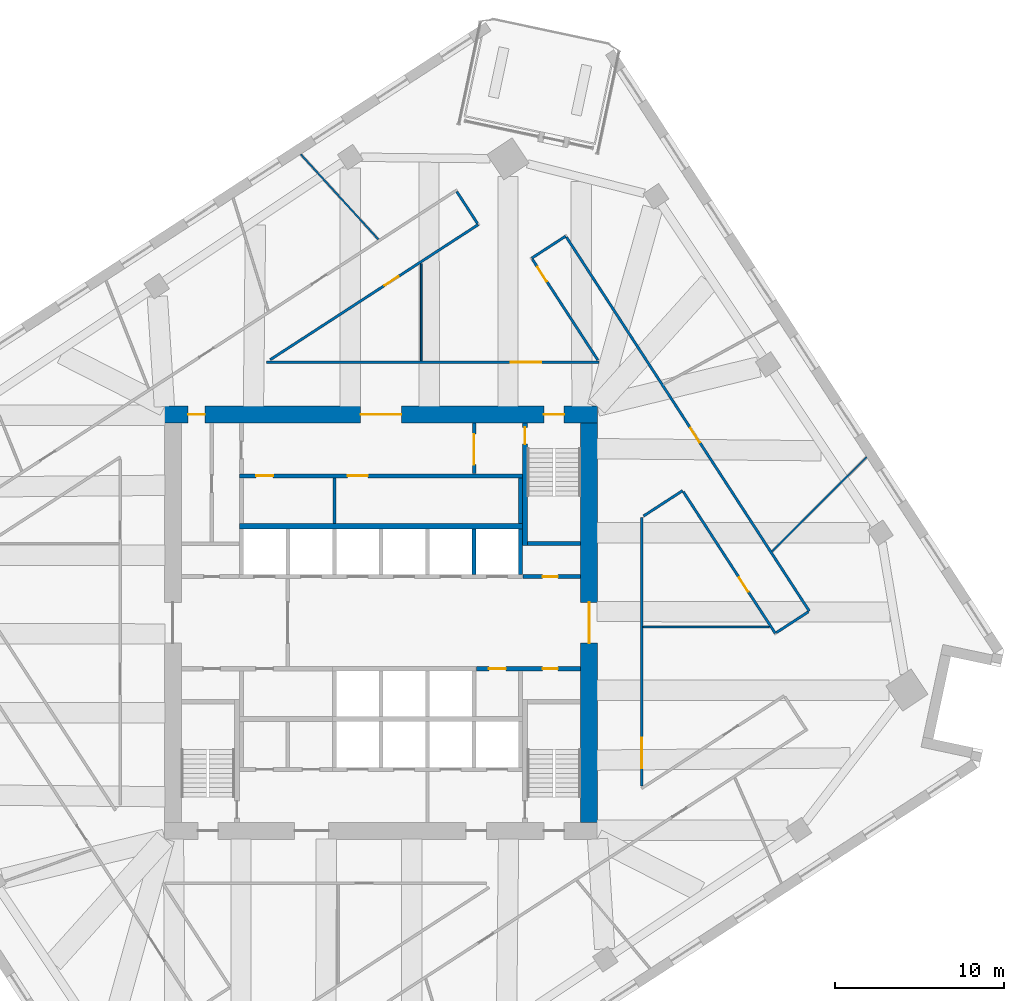
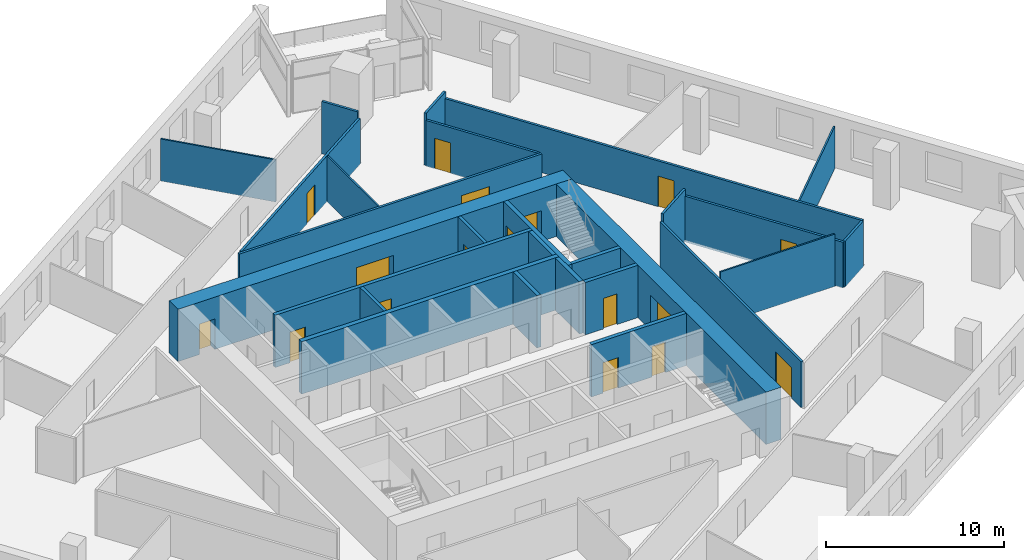
# One storey, part 9 of 12: 27 walls, 17 doors, 17 openings.
"""IFC4 building model written with IfcOpenShell, lengths in metres."""

from ifc_helpers import new_model, si_unit, direction, frame, frame_2d, origin, place, context, subcontext, project, spatial, rectangle, extrude, material, layer, layer_set, type_object, element, fill, save


model = new_model("IFC4")

# Units and contexts
model_context = context("Model", 3, precision=1e-05, world=origin(), true_north=direction((0.0, 1.0)))
body_context = subcontext(model_context, "Body", "Model", "MODEL_VIEW")
ifc_project = project(units=[si_unit("LENGTHUNIT", "METRE"), si_unit("AREAUNIT", "SQUARE_METRE"), si_unit("VOLUMEUNIT", "CUBIC_METRE"), si_unit("PLANEANGLEUNIT", "RADIAN"), si_unit("MASSUNIT", "GRAM", prefix="KILO")], contexts=[model_context])

# Site, building, storey
site_placement = place(None, origin())
site = spatial("IfcSite", under=ifc_project, at=site_placement, CompositionType="ELEMENT")
building_placement = place(site_placement, origin())
building = spatial("IfcBuilding", under=site, at=building_placement, Name="Dilmun Exchange Tower", CompositionType="ELEMENT")
storey_placement = place(building_placement, frame((0.0, 0.0, 159.699951171875)))
storey = spatial("IfcBuildingStorey", under=building, at=storey_placement, Name="L37", CompositionType="ELEMENT", Elevation=159.699951171875)

# Wall
ifc_material_1 = material(Name="Concrete C40/50", Category="concrete")
ifc_layer_1 = layer(ifc_material_1, 0.199951171875)
ifc_layer_set_1 = layer_set([ifc_layer_1], Name="Concrete C40/50")
wall_type_1 = type_object("IfcWallType", Name="Core partition wall 200", PredefinedType="PARTITIONING", material=ifc_layer_set_1)
wall_1_placement = place(storey_placement, frame((-2.75, 5.85498046875, 0.0), z_axis=(0.0, 0.0, 1.0), x_axis=(0.0, 1.0, 0.0)))
element("IfcWall", 1, at=wall_1_placement, inside=storey, type_object=wall_type_1, Name="L37 core partition wall 16", PredefinedType="PARTITIONING", context=body_context, shape_type="SweptSolid", body=[
    extrude(rectangle(XDim=2.68994140625, YDim=0.199951171875, at=frame_2d((1.344970703125, 0.0))), origin(), (0.0, 0.0, 1.0), 3.60009765625),
])

# Wall, opening, door
wall_2_placement = place(storey_placement, frame((5.5, 8.804931640625, 0.0), z_axis=(0.0, 0.0, 1.0), x_axis=(0.0, 1.0, 0.0)))
wall_2 = element("IfcWall", 2, at=wall_2_placement, inside=storey, type_object=wall_type_1, Name="L37 core partition wall 20", PredefinedType="PARTITIONING", context=body_context, shape_type="SweptSolid", body=[
    extrude(rectangle(XDim=2.989990234375, YDim=0.199951171875, at=frame_2d((1.4951171875, 0.0))), origin(), (0.0, 0.0, 1.0), 3.60009765625),
])
opening_1_placement = place(wall_2_placement, frame((0.532470703125, 0.0, 0.0)))
opening_1 = element("IfcOpeningElement", 3, at=opening_1_placement, cuts=wall_2, Name="Opening CD5", PredefinedType="OPENING", context=body_context, shape_type="SweptSolid", body=[
    extrude(rectangle(XDim=1.800048828125, YDim=2.10009765625, at=frame_2d((0.89990234375, 1.050048828125))), frame((0.0, 0.10986328125, 0.0), z_axis=(0.0, -1.0, 0.0), x_axis=(1.0, 0.0, 0.0)), (0.0, 0.0, 1.0), 0.219970703125),
])
ifc_material_2 = material(Name="Fire-rated steel door set", Category="steel")
door_type_1 = type_object("IfcDoorType", Name="Stair exit door 1800x2100", OperationType="SINGLE_SWING_LEFT", PredefinedType="DOOR", material=ifc_material_2)
door_1_placement = place(opening_1_placement, origin())
door_1 = element("IfcDoor", 4, at=door_1_placement, inside=storey, type_object=door_type_1, Name="L37 door Core corridor east", OperationType="SINGLE_SWING_LEFT", OverallHeight=2.10009765625, OverallWidth=1.800048828125, PredefinedType="DOOR", context=body_context, shape_type="SweptSolid", body=[
    extrude(rectangle(XDim=1.800048828125, YDim=2.10009765625, at=frame_2d((0.89990234375, 1.050048828125))), frame((0.0, 0.02490234375, 0.0), z_axis=(0.0, -1.0, 0.0), x_axis=(1.0, 0.0, 0.0)), (0.0, 0.0, 1.0), 0.050048828125),
])
fill(opening_1, door_1)

# Wall, openings, doors
ifc_layer_2 = layer(ifc_material_1, 0.25)
ifc_layer_set_2 = layer_set([ifc_layer_2], Name="Concrete C40/50")
wall_type_2 = type_object("IfcWallType", Name="Core partition wall 250", PredefinedType="PARTITIONING", material=ifc_layer_set_2)
wall_3_placement = place(storey_placement, frame((5.6298828125, -2.72509765625, 0.0), z_axis=(0.0, 0.0, 1.0), x_axis=(1.0, 0.0, 0.0)))
wall_3 = element("IfcWall", 5, at=wall_3_placement, inside=storey, type_object=wall_type_2, Name="L37 core partition wall 09", PredefinedType="PARTITIONING", context=body_context, shape_type="SweptSolid", body=[
    extrude(rectangle(XDim=6.1650390625, YDim=0.25, at=frame_2d((3.08251953125, 0.0))), origin(), (0.0, 0.0, 1.0), 3.60009765625),
])
opening_2_placement = place(wall_3_placement, frame((0.7451171875, 0.0, 0.0)))
opening_2 = element("IfcOpeningElement", 6, at=opening_2_placement, cuts=wall_3, Name="Opening CD4", PredefinedType="OPENING", context=body_context, shape_type="SweptSolid", body=[
    extrude(rectangle(XDim=1.0, YDim=2.10009765625, at=frame_2d((0.5, 1.050048828125))), frame((0.0, 0.135009765625, 0.0), z_axis=(0.0, -1.0, 0.0), x_axis=(1.0, 0.0, 0.0)), (0.0, 0.0, 1.0), 0.27001953125),
])
opening_3_placement = place(wall_3_placement, frame((3.919921875, 0.0, 0.0)))
opening_3 = element("IfcOpeningElement", 7, at=opening_3_placement, cuts=wall_3, Name="Opening CD6", PredefinedType="OPENING", context=body_context, shape_type="SweptSolid", body=[
    extrude(rectangle(XDim=0.89990234375, YDim=2.10009765625, at=frame_2d((0.449951171875, 1.050048828125))), frame((0.0, 0.135009765625, 0.0), z_axis=(0.0, -1.0, 0.0), x_axis=(1.0, 0.0, 0.0)), (0.0, 0.0, 1.0), 0.27001953125),
])
door_type_2 = type_object("IfcDoorType", Name="Core room door 1000x2100", OperationType="SINGLE_SWING_LEFT", PredefinedType="DOOR", material=ifc_material_2)
door_2_placement = place(opening_2_placement, origin())
door_2 = element("IfcDoor", 8, at=door_2_placement, inside=storey, type_object=door_type_2, Name="L37 door Cleaners' store", OperationType="SINGLE_SWING_RIGHT", OverallHeight=2.10009765625, OverallWidth=1.0, PredefinedType="DOOR", context=body_context, shape_type="SweptSolid", body=[
    extrude(rectangle(XDim=1.0, YDim=2.10009765625, at=frame_2d((0.5, 1.050048828125))), frame((0.0, 0.02490234375, 0.0), z_axis=(0.0, -1.0, 0.0), x_axis=(1.0, 0.0, 0.0)), (0.0, 0.0, 1.0), 0.050048828125),
])
fill(opening_2, door_2)
door_type_3 = type_object("IfcDoorType", Name="Core room door 900x2100", OperationType="SINGLE_SWING_LEFT", PredefinedType="DOOR", material=ifc_material_2)
door_3_placement = place(opening_3_placement, origin())
door_3 = element("IfcDoor", 9, at=door_3_placement, inside=storey, type_object=door_type_3, Name="L37 door Comms riser", OperationType="SINGLE_SWING_RIGHT", OverallHeight=2.10009765625, OverallWidth=0.89990234375, PredefinedType="DOOR", context=body_context, shape_type="SweptSolid", body=[
    extrude(rectangle(XDim=0.89990234375, YDim=2.10009765625, at=frame_2d((0.449951171875, 1.050048828125))), frame((0.0, 0.02490234375, 0.0), z_axis=(0.0, -1.0, 0.0), x_axis=(1.0, 0.0, 0.0)), (0.0, 0.0, 1.0), 0.050048828125),
])
fill(opening_3, door_3)

# Wall, opening, door
wall_4_placement = place(storey_placement, frame((8.3798828125, 2.72509765625, 0.0), z_axis=(0.0, 0.0, 1.0), x_axis=(1.0, 0.0, 0.0)))
wall_4 = element("IfcWall", 10, at=wall_4_placement, inside=storey, type_object=wall_type_2, Name="L37 core partition wall 12", PredefinedType="PARTITIONING", context=body_context, shape_type="SweptSolid", body=[
    extrude(rectangle(XDim=3.4150390625, YDim=0.25, at=frame_2d((1.70751953125, 0.0))), origin(), (0.0, 0.0, 1.0), 3.60009765625),
])
opening_4_placement = place(wall_4_placement, frame((1.169921875, 0.0, 0.0)))
opening_4 = element("IfcOpeningElement", 11, at=opening_4_placement, cuts=wall_4, Name="Opening CD6", PredefinedType="OPENING", context=body_context, shape_type="SweptSolid", body=[
    extrude(rectangle(XDim=0.89990234375, YDim=2.10009765625, at=frame_2d((0.449951171875, 1.050048828125))), frame((0.0, 0.135009765625, 0.0), z_axis=(0.0, -1.0, 0.0), x_axis=(1.0, 0.0, 0.0)), (0.0, 0.0, 1.0), 0.27001953125),
])
door_4_placement = place(opening_4_placement, origin())
door_4 = element("IfcDoor", 12, at=door_4_placement, inside=storey, type_object=door_type_3, Name="L37 door Electrical riser", OperationType="SINGLE_SWING_RIGHT", OverallHeight=2.10009765625, OverallWidth=0.89990234375, PredefinedType="DOOR", context=body_context, shape_type="SweptSolid", body=[
    extrude(rectangle(XDim=0.89990234375, YDim=2.10009765625, at=frame_2d((0.449951171875, 1.050048828125))), frame((0.0, 0.02490234375, 0.0), z_axis=(0.0, -1.0, 0.0), x_axis=(1.0, 0.0, 0.0)), (0.0, 0.0, 1.0), 0.050048828125),
])
fill(opening_4, door_4)

# Wall
wall_5_placement = place(storey_placement, frame((8.25, 5.85498046875, 0.0), z_axis=(0.0, 0.0, 1.0), x_axis=(0.0, 1.0, 0.0)))
element("IfcWall", 13, at=wall_5_placement, inside=storey, type_object=wall_type_2, Name="L37 core partition wall 17", PredefinedType="PARTITIONING", context=body_context, shape_type="SweptSolid", body=[
    extrude(rectangle(XDim=2.68994140625, YDim=0.25, at=frame_2d((1.344970703125, 0.0))), origin(), (0.0, 0.0, 1.0), 3.60009765625),
])

# Wall, openings, doors
wall_6_placement = place(storey_placement, frame((-8.35009765625, 8.675048828125, 0.0), z_axis=(0.0, 0.0, 1.0), x_axis=(1.0, 0.0, 0.0)))
wall_6 = element("IfcWall", 14, at=wall_6_placement, inside=storey, type_object=wall_type_2, Name="L37 core partition wall 18", PredefinedType="PARTITIONING", context=body_context, shape_type="SweptSolid", body=[
    extrude(rectangle(XDim=16.72021484375, YDim=0.25, at=frame_2d((8.360107421875, 0.0))), origin(), (0.0, 0.0, 1.0), 3.60009765625),
])
opening_5_placement = place(wall_6_placement, frame((0.97509765625, 0.0, 0.0)))
opening_5 = element("IfcOpeningElement", 15, at=opening_5_placement, cuts=wall_6, Name="Opening CD4", PredefinedType="OPENING", context=body_context, shape_type="SweptSolid", body=[
    extrude(rectangle(XDim=1.0, YDim=2.10009765625, at=frame_2d((0.5, 1.050048828125))), frame((0.0, 0.135009765625, 0.0), z_axis=(0.0, -1.0, 0.0), x_axis=(1.0, 0.0, 0.0)), (0.0, 0.0, 1.0), 0.27001953125),
])
opening_6_placement = place(wall_6_placement, frame((6.375, 0.0, 0.0)))
opening_6 = element("IfcOpeningElement", 16, at=opening_6_placement, cuts=wall_6, Name="Opening CD3", PredefinedType="OPENING", context=body_context, shape_type="SweptSolid", body=[
    extrude(rectangle(XDim=1.199951171875, YDim=2.10009765625, at=frame_2d((0.60009765625, 1.050048828125))), frame((0.0, 0.135009765625, 0.0), z_axis=(0.0, -1.0, 0.0), x_axis=(1.0, 0.0, 0.0)), (0.0, 0.0, 1.0), 0.27001953125),
])
door_5_placement = place(opening_5_placement, origin())
door_5 = element("IfcDoor", 17, at=door_5_placement, inside=storey, type_object=door_type_2, Name="L37 door Print and mail room", OperationType="SINGLE_SWING_RIGHT", OverallHeight=2.10009765625, OverallWidth=1.0, PredefinedType="DOOR", context=body_context, shape_type="SweptSolid", body=[
    extrude(rectangle(XDim=1.0, YDim=2.10009765625, at=frame_2d((0.5, 1.050048828125))), frame((0.0, 0.02490234375, 0.0), z_axis=(0.0, -1.0, 0.0), x_axis=(1.0, 0.0, 0.0)), (0.0, 0.0, 1.0), 0.050048828125),
])
fill(opening_5, door_5)
door_type_4 = type_object("IfcDoorType", Name="Stair exit door 1200x2100", OperationType="SINGLE_SWING_LEFT", PredefinedType="DOOR", material=ifc_material_2)
door_6_placement = place(opening_6_placement, origin())
door_6 = element("IfcDoor", 18, at=door_6_placement, inside=storey, type_object=door_type_4, Name="L37 door Building management office", OperationType="SINGLE_SWING_LEFT", OverallHeight=2.10009765625, OverallWidth=1.199951171875, PredefinedType="DOOR", context=body_context, shape_type="SweptSolid", body=[
    extrude(rectangle(XDim=1.199951171875, YDim=2.10009765625, at=frame_2d((0.60009765625, 1.050048828125))), frame((0.0, 0.02490234375, 0.0), z_axis=(0.0, -1.0, 0.0), x_axis=(1.0, 0.0, 0.0)), (0.0, 0.0, 1.0), 0.050048828125),
])
fill(opening_6, door_6)

ifc_material_3 = material(Name="Concrete C70/85", Category="concrete")
ifc_layer_3 = layer(ifc_material_3, 1.0)
ifc_layer_set_3 = layer_set([ifc_layer_3], Name="Concrete C70/85")
wall_type_3 = type_object("IfcWallType", Name="Core shear wall 1000 Concrete C70/85", PredefinedType="SHEAR", material=ifc_layer_set_3)
wall_7_placement = place(storey_placement, frame((-12.800048828125, 12.300048828125, 0.0), z_axis=(0.0, 0.0, 1.0), x_axis=(1.0, 0.0, 0.0)))
wall_7 = element("IfcWall", 19, at=wall_7_placement, inside=storey, type_object=wall_type_3, Name="L37 core shear wall N", PredefinedType="SHEAR", context=body_context, shape_type="SweptSolid", body=[
    extrude(rectangle(XDim=25.60009765625, YDim=1.0, at=frame_2d((12.800048828125, 0.0))), origin(), (0.0, 0.0, 1.0), 3.60009765625),
])
opening_7_placement = place(wall_7_placement, frame((11.60009765625, 0.0, 0.0)))
opening_7 = element("IfcOpeningElement", 20, at=opening_7_placement, cuts=wall_7, Name="Opening CD1", PredefinedType="OPENING", context=body_context, shape_type="SweptSolid", body=[
    extrude(rectangle(XDim=2.39990234375, YDim=2.39990234375, at=frame_2d((1.199951171875, 1.199951171875))), frame((0.0, 0.510009765625, 0.0), z_axis=(0.0, -1.0, 0.0), x_axis=(1.0, 0.0, 0.0)), (0.0, 0.0, 1.0), 1.02001953125),
])
opening_8_placement = place(wall_7_placement, frame((22.425048828125, 0.0, 0.0)))
opening_8 = element("IfcOpeningElement", 21, at=opening_8_placement, cuts=wall_7, Name="Opening CD3", PredefinedType="OPENING", context=body_context, shape_type="SweptSolid", body=[
    extrude(rectangle(XDim=1.199951171875, YDim=2.10009765625, at=frame_2d((0.60009765625, 1.050048828125))), frame((0.0, 0.510009765625, 0.0), z_axis=(0.0, -1.0, 0.0), x_axis=(1.0, 0.0, 0.0)), (0.0, 0.0, 1.0), 1.02001953125),
])
opening_9_placement = place(wall_7_placement, frame((1.39990234375, 0.0, 0.0)))
opening_9 = element("IfcOpeningElement", 22, at=opening_9_placement, cuts=wall_7, Name="Opening CD4", PredefinedType="OPENING", context=body_context, shape_type="SweptSolid", body=[
    extrude(rectangle(XDim=1.0, YDim=2.10009765625, at=frame_2d((0.5, 1.050048828125))), frame((0.0, 0.510009765625, 0.0), z_axis=(0.0, -1.0, 0.0), x_axis=(1.0, 0.0, 0.0)), (0.0, 0.0, 1.0), 1.02001953125),
])
door_type_5 = type_object("IfcDoorType", Name="Core lobby door 2400x2400", OperationType="DOUBLE_DOOR_DOUBLE_SWING", PredefinedType="DOOR", material=ifc_material_2)
door_7_placement = place(opening_7_placement, origin())
door_7 = element("IfcDoor", 23, at=door_7_placement, inside=storey, type_object=door_type_5, Name="L37 door North lift lobby", OperationType="SINGLE_SWING_LEFT", OverallHeight=2.39990234375, OverallWidth=2.39990234375, PredefinedType="DOOR", context=body_context, shape_type="SweptSolid", body=[
    extrude(rectangle(XDim=2.39990234375, YDim=2.39990234375, at=frame_2d((1.199951171875, 1.199951171875))), frame((0.0, 0.02490234375, 0.0), z_axis=(0.0, -1.0, 0.0), x_axis=(1.0, 0.0, 0.0)), (0.0, 0.0, 1.0), 0.050048828125),
])
fill(opening_7, door_7)
door_8_placement = place(opening_9_placement, origin())
door_8 = element("IfcDoor", 24, at=door_8_placement, inside=storey, type_object=door_type_2, Name="L37 door North-west core rooms", OperationType="SINGLE_SWING_LEFT", OverallHeight=2.10009765625, OverallWidth=1.0, PredefinedType="DOOR", context=body_context, shape_type="SweptSolid", body=[
    extrude(rectangle(XDim=1.0, YDim=2.10009765625, at=frame_2d((0.5, 1.050048828125))), frame((0.0, 0.02490234375, 0.0), z_axis=(0.0, -1.0, 0.0), x_axis=(1.0, 0.0, 0.0)), (0.0, 0.0, 1.0), 0.050048828125),
])
fill(opening_9, door_8)
door_9_placement = place(opening_8_placement, origin())
door_9 = element("IfcDoor", 25, at=door_9_placement, inside=storey, type_object=door_type_4, Name="L37 door Stair ST1", OperationType="SINGLE_SWING_LEFT", OverallHeight=2.10009765625, OverallWidth=1.199951171875, PredefinedType="DOOR", context=body_context, shape_type="SweptSolid", body=[
    extrude(rectangle(XDim=1.199951171875, YDim=2.10009765625, at=frame_2d((0.60009765625, 1.050048828125))), frame((0.0, 0.02490234375, 0.0), z_axis=(0.0, -1.0, 0.0), x_axis=(1.0, 0.0, 0.0)), (0.0, 0.0, 1.0), 0.050048828125),
])
fill(opening_8, door_9)

# Wall, opening, door
wall_8_placement = place(storey_placement, frame((12.300048828125, -11.800048828125, 0.0), z_axis=(0.0, 0.0, 1.0), x_axis=(0.0, 1.0, 0.0)))
wall_8 = element("IfcWall", 26, at=wall_8_placement, inside=storey, type_object=wall_type_3, Name="L37 core shear wall E", PredefinedType="SHEAR", context=body_context, shape_type="SweptSolid", body=[
    extrude(rectangle(XDim=23.60009765625, YDim=1.0, at=frame_2d((11.800048828125, 0.0))), origin(), (0.0, 0.0, 1.0), 3.60009765625),
])
opening_10_placement = place(wall_8_placement, frame((10.60009765625, 0.0, 0.0)))
opening_10 = element("IfcOpeningElement", 27, at=opening_10_placement, cuts=wall_8, Name="Opening CD1", PredefinedType="OPENING", context=body_context, shape_type="SweptSolid", body=[
    extrude(rectangle(XDim=2.39990234375, YDim=2.39990234375, at=frame_2d((1.199951171875, 1.199951171875))), frame((0.0, 0.510009765625, 0.0), z_axis=(0.0, -1.0, 0.0), x_axis=(1.0, 0.0, 0.0)), (0.0, 0.0, 1.0), 1.02001953125),
])
door_10_placement = place(opening_10_placement, origin())
door_10 = element("IfcDoor", 28, at=door_10_placement, inside=storey, type_object=door_type_5, Name="L37 door Central lift lobby", OperationType="SINGLE_SWING_LEFT", OverallHeight=2.39990234375, OverallWidth=2.39990234375, PredefinedType="DOOR", context=body_context, shape_type="SweptSolid", body=[
    extrude(rectangle(XDim=2.39990234375, YDim=2.39990234375, at=frame_2d((1.199951171875, 1.199951171875))), frame((0.0, 0.02490234375, 0.0), z_axis=(0.0, -1.0, 0.0), x_axis=(1.0, 0.0, 0.0)), (0.0, 0.0, 1.0), 0.050048828125),
])
fill(opening_10, door_10)

ifc_material_4 = material(Name="Corridor wall 150")
ifc_layer_4 = layer(ifc_material_4, 0.14990234375)
ifc_layer_set_4 = layer_set([ifc_layer_4], Name="Corridor wall 150")
wall_type_4 = type_object("IfcWallType", Name="Corridor wall 150", PredefinedType="PARTITIONING", material=ifc_layer_set_4)
wall_9_placement = place(storey_placement, frame((-6.762939453125, 15.39990234375, 0.0), z_axis=(0.0, 0.0, 1.0), x_axis=(1.0, 0.0, 0.0)))
wall_9 = element("IfcWall", 29, at=wall_9_placement, inside=storey, type_object=wall_type_4, Name="Corridor wall", PredefinedType="PARTITIONING", context=body_context, shape_type="SweptSolid", body=[
    extrude(rectangle(XDim=19.654052734375, YDim=0.14990234375, at=frame_2d((9.8271484375, 0.0))), origin(), (0.0, 0.0, 1.0), 3.150146484375),
])
opening_11_placement = place(wall_9_placement, frame((14.444580078125, 0.0, 0.0)))
opening_11 = element("IfcOpeningElement", 30, at=opening_11_placement, cuts=wall_9, Name="Opening TF36-D13", PredefinedType="OPENING", context=body_context, shape_type="SweptSolid", body=[
    extrude(rectangle(XDim=1.800048828125, YDim=2.10009765625, at=frame_2d((0.89990234375, 1.050048828125))), frame((0.0, 0.0849609375, 0.0), z_axis=(0.0, -1.0, 0.0), x_axis=(1.0, 0.0, 0.0)), (0.0, 0.0, 1.0), 0.169921875),
])
ifc_material_5 = material(Name="Fire door pair 1800 x 2100")
door_type_6 = type_object("IfcDoorType", Name="Fire door pair 1800 x 2100", OperationType="NOTDEFINED", PredefinedType="DOOR", material=ifc_material_5)
door_11_placement = place(opening_11_placement, origin())
door_11 = element("IfcDoor", 31, at=door_11_placement, inside=storey, type_object=door_type_6, Name="Door TF36-D13", OperationType="DOUBLE_DOOR_SINGLE_SWING", OverallHeight=2.10009765625, OverallWidth=1.800048828125, PredefinedType="DOOR", context=body_context, shape_type="SweptSolid", body=[
    extrude(rectangle(XDim=1.800048828125, YDim=2.10009765625, at=frame_2d((0.89990234375, 1.050048828125))), frame((0.0, 0.02490234375, 0.0), z_axis=(0.0, -1.0, 0.0), x_axis=(1.0, 0.0, 0.0)), (0.0, 0.0, 1.0), 0.050048828125),
])
fill(opening_11, door_11)

wall_10_placement = place(storey_placement, frame((-6.55078125, 15.537841796875, 0.0), z_axis=(0.0, 0.0, 1.0), x_axis=(0.838658107211, 0.544658222383, 0.0)))
wall_10 = element("IfcWall", 32, at=wall_10_placement, inside=storey, type_object=wall_type_4, Name="Corridor wall", PredefinedType="PARTITIONING", context=body_context, shape_type="SweptSolid", body=[
    extrude(rectangle(XDim=14.66259765625, YDim=0.14990234375, at=frame_2d((7.331298828125, 0.0))), origin(), (0.0, 0.0, 1.0), 3.150146484375),
])
opening_12_placement = place(wall_10_placement, frame((8.050048828125, 0.0, 0.0)))
opening_12 = element("IfcOpeningElement", 33, at=opening_12_placement, cuts=wall_10, Name="Opening TF36-D10", PredefinedType="OPENING", context=body_context, shape_type="SweptSolid", body=[
    extrude(rectangle(XDim=1.0, YDim=2.10009765625, at=frame_2d((0.5, 1.050048828125))), frame((0.0, 0.0849609375, 0.0), z_axis=(0.0, -1.0, 0.0), x_axis=(1.0, 0.0, 0.0)), (0.0, 0.0, 1.0), 0.169921875),
])
ifc_material_6 = material(Name="Fire door 1000 x 2100")
door_type_7 = type_object("IfcDoorType", Name="Fire door 1000 x 2100", OperationType="NOTDEFINED", PredefinedType="DOOR", material=ifc_material_6)
door_12_placement = place(opening_12_placement, frame((1.0, 0.0, 0.0), z_axis=(0.0, 0.0, 1.0), x_axis=(-1.0, 0.0, 0.0)))
door_12 = element("IfcDoor", 34, at=door_12_placement, inside=storey, type_object=door_type_7, Name="Door TF36-D10", OperationType="SINGLE_SWING_RIGHT", OverallHeight=2.10009765625, OverallWidth=1.0, PredefinedType="DOOR", context=body_context, shape_type="SweptSolid", body=[
    extrude(rectangle(XDim=1.0, YDim=2.10009765625, at=frame_2d((0.5, 1.050048828125))), frame((0.0, 0.02490234375, 0.0), z_axis=(0.0, -1.0, 0.0), x_axis=(1.0, 0.0, 0.0)), (0.0, 0.0, 1.0), 0.050048828125),
])
fill(opening_12, door_12)

# Walls
wall_11_placement = place(storey_placement, frame((4.479736328125, 25.47412109375, 0.0), z_axis=(0.0, 0.0, 1.0), x_axis=(0.544568768869, -0.83871619513, 0.0)))
element("IfcWall", 35, at=wall_11_placement, inside=storey, type_object=wall_type_4, Name="Corridor wall", PredefinedType="PARTITIONING", context=body_context, shape_type="SweptSolid", body=[
    extrude(rectangle(XDim=2.25, YDim=0.14990234375, at=frame_2d((1.125, 0.0))), origin(), (0.0, 0.0, 1.0), 3.60009765625),
])
wall_12_placement = place(storey_placement, frame((8.905029296875, 21.5390625, 0.0), z_axis=(0.0, 0.0, 1.0), x_axis=(0.838613296719, 0.544727214821, 0.0)))
element("IfcWall", 36, at=wall_12_placement, inside=storey, type_object=wall_type_4, Name="Corridor wall", PredefinedType="PARTITIONING", context=body_context, shape_type="SweptSolid", body=[
    extrude(rectangle(XDim=2.399169921875, YDim=0.14990234375, at=frame_2d((1.19970703125, 0.0))), origin(), (0.0, 0.0, 1.0), 3.60009765625),
])

# Wall, opening, door
wall_13_placement = place(storey_placement, frame((8.94580078125, 21.47607421875, 0.0), z_axis=(0.0, 0.0, 1.0), x_axis=(0.544591006373, -0.838701756155, 0.0)))
wall_13 = element("IfcWall", 37, at=wall_13_placement, inside=storey, type_object=wall_type_4, Name="Corridor wall", PredefinedType="PARTITIONING", context=body_context, shape_type="SweptSolid", body=[
    extrude(rectangle(XDim=7.1064453125, YDim=0.14990234375, at=frame_2d((3.55322265625, 0.0))), origin(), (0.0, 0.0, 1.0), 3.150146484375),
])
opening_13_placement = place(wall_13_placement, frame((0.550048828125, 0.0, 0.0)))
opening_13 = element("IfcOpeningElement", 38, at=opening_13_placement, cuts=wall_13, Name="Opening TF36-D14", PredefinedType="OPENING", context=body_context, shape_type="SweptSolid", body=[
    extrude(rectangle(XDim=1.0, YDim=2.10009765625, at=frame_2d((0.5, 1.050048828125))), frame((0.0, 0.0849609375, 0.0), z_axis=(0.0, -1.0, 0.0), x_axis=(1.0, 0.0, 0.0)), (0.0, 0.0, 1.0), 0.169921875),
])
door_13_placement = place(opening_13_placement, frame((1.0, 0.0, 0.0), z_axis=(0.0, 0.0, 1.0), x_axis=(-1.0, 0.0, 0.0)))
door_13 = element("IfcDoor", 39, at=door_13_placement, inside=storey, type_object=door_type_7, Name="Door TF36-D14", OperationType="SINGLE_SWING_RIGHT", OverallHeight=2.10009765625, OverallWidth=1.0, PredefinedType="DOOR", context=body_context, shape_type="SweptSolid", body=[
    extrude(rectangle(XDim=1.0, YDim=2.10009765625, at=frame_2d((0.5, 1.050048828125))), frame((0.0, 0.02490234375, 0.0), z_axis=(0.0, -1.0, 0.0), x_axis=(1.0, 0.0, 0.0)), (0.0, 0.0, 1.0), 0.050048828125),
])
fill(opening_13, door_13)

wall_14_placement = place(storey_placement, frame((10.9580078125, 22.783203125, 0.0), z_axis=(0.0, 0.0, 1.0), x_axis=(0.544655201926, -0.838660068809, 0.0)))
wall_14 = element("IfcWall", 40, at=wall_14_placement, inside=storey, type_object=wall_type_4, Name="Corridor wall", PredefinedType="PARTITIONING", context=body_context, shape_type="SweptSolid", body=[
    extrude(rectangle(XDim=26.354248046875, YDim=0.14990234375, at=frame_2d((13.17724609375, 0.0))), origin(), (0.0, 0.0, 1.0), 3.150146484375),
])
opening_14_placement = place(wall_14_placement, frame((13.459716796875, 0.0, 0.0)))
opening_14 = element("IfcOpeningElement", 41, at=opening_14_placement, cuts=wall_14, Name="Opening TF36-D17", PredefinedType="OPENING", context=body_context, shape_type="SweptSolid", body=[
    extrude(rectangle(XDim=1.0, YDim=2.10009765625, at=frame_2d((0.5, 1.050048828125))), frame((0.0, 0.0849609375, 0.0), z_axis=(0.0, -1.0, 0.0), x_axis=(1.0, 0.0, 0.0)), (0.0, 0.0, 1.0), 0.169921875),
])
door_14_placement = place(opening_14_placement, origin())
door_14 = element("IfcDoor", 42, at=door_14_placement, inside=storey, type_object=door_type_7, Name="Door TF36-D17", OperationType="SINGLE_SWING_RIGHT", OverallHeight=2.10009765625, OverallWidth=1.0, PredefinedType="DOOR", context=body_context, shape_type="SweptSolid", body=[
    extrude(rectangle(XDim=1.0, YDim=2.10009765625, at=frame_2d((0.5, 1.050048828125))), frame((0.0, 0.02490234375, 0.0), z_axis=(0.0, -1.0, 0.0), x_axis=(1.0, 0.0, 0.0)), (0.0, 0.0, 1.0), 0.050048828125),
])
fill(opening_14, door_14)

wall_15_placement = place(storey_placement, frame((15.39990234375, -9.65283203125, 0.0), z_axis=(0.0, 0.0, 1.0), x_axis=(0.0, 1.0, 0.0)))
wall_15 = element("IfcWall", 43, at=wall_15_placement, inside=storey, type_object=wall_type_4, Name="Corridor wall", PredefinedType="PARTITIONING", context=body_context, shape_type="SweptSolid", body=[
    extrude(rectangle(XDim=15.8818359375, YDim=0.14990234375, at=frame_2d((7.94091796875, 0.0))), origin(), (0.0, 0.0, 1.0), 3.150146484375),
])
opening_15_placement = place(wall_15_placement, frame((1.050048828125, 0.0, 0.0)))
opening_15 = element("IfcOpeningElement", 44, at=opening_15_placement, cuts=wall_15, Name="Opening TF36-D18", PredefinedType="OPENING", context=body_context, shape_type="SweptSolid", body=[
    extrude(rectangle(XDim=1.800048828125, YDim=2.10009765625, at=frame_2d((0.89990234375, 1.050048828125))), frame((0.0, 0.0849609375, 0.0), z_axis=(0.0, -1.0, 0.0), x_axis=(1.0, 0.0, 0.0)), (0.0, 0.0, 1.0), 0.169921875),
])
door_15_placement = place(opening_15_placement, frame((1.800048828125, 0.0, 0.0), z_axis=(0.0, 0.0, 1.0), x_axis=(-1.0, 0.0, 0.0)))
door_15 = element("IfcDoor", 45, at=door_15_placement, inside=storey, type_object=door_type_6, Name="Door TF36-D18", OperationType="DOUBLE_DOOR_SINGLE_SWING", OverallHeight=2.10009765625, OverallWidth=1.800048828125, PredefinedType="DOOR", context=body_context, shape_type="SweptSolid", body=[
    extrude(rectangle(XDim=1.800048828125, YDim=2.10009765625, at=frame_2d((0.89990234375, 1.050048828125))), frame((0.0, 0.02490234375, 0.0), z_axis=(0.0, -1.0, 0.0), x_axis=(1.0, 0.0, 0.0)), (0.0, 0.0, 1.0), 0.050048828125),
])
fill(opening_15, door_15)

# Wall
wall_16_placement = place(storey_placement, frame((15.515869140625, 6.30419921875, 0.0), z_axis=(0.0, 0.0, 1.0), x_axis=(0.838528716493, 0.544857404846, 0.0)))
element("IfcWall", 46, at=wall_16_placement, inside=storey, type_object=wall_type_4, Name="Corridor wall", PredefinedType="PARTITIONING", context=body_context, shape_type="SweptSolid", body=[
    extrude(rectangle(XDim=2.752685546875, YDim=0.14990234375, at=frame_2d((1.37646484375, 0.0))), origin(), (0.0, 0.0, 1.0), 3.60009765625),
])

# Wall, opening, door
wall_17_placement = place(storey_placement, frame((17.864990234375, 7.7412109375, 0.0), z_axis=(0.0, 0.0, 1.0), x_axis=(0.544664903491, -0.838653768193, 0.0)))
wall_17 = element("IfcWall", 47, at=wall_17_placement, inside=storey, type_object=wall_type_4, Name="Corridor wall", PredefinedType="PARTITIONING", context=body_context, shape_type="SweptSolid", body=[
    extrude(rectangle(XDim=9.976806640625, YDim=0.14990234375, at=frame_2d((4.98828125, 0.0))), origin(), (0.0, 0.0, 1.0), 3.150146484375),
])
opening_16_placement = place(wall_17_placement, frame((6.050048828125, 0.0, 0.0)))
opening_16 = element("IfcOpeningElement", 48, at=opening_16_placement, cuts=wall_17, Name="Opening TF36-D16", PredefinedType="OPENING", context=body_context, shape_type="SweptSolid", body=[
    extrude(rectangle(XDim=1.0, YDim=2.10009765625, at=frame_2d((0.5, 1.050048828125))), frame((0.0, 0.0849609375, 0.0), z_axis=(0.0, -1.0, 0.0), x_axis=(1.0, 0.0, 0.0)), (0.0, 0.0, 1.0), 0.169921875),
])
door_16_placement = place(opening_16_placement, frame((1.0, 0.0, 0.0), z_axis=(0.0, 0.0, 1.0), x_axis=(-1.0, 0.0, 0.0)))
door_16 = element("IfcDoor", 49, at=door_16_placement, inside=storey, type_object=door_type_7, Name="Door TF36-D16", OperationType="SINGLE_SWING_RIGHT", OverallHeight=2.10009765625, OverallWidth=1.0, PredefinedType="DOOR", context=body_context, shape_type="SweptSolid", body=[
    extrude(rectangle(XDim=1.0, YDim=2.10009765625, at=frame_2d((0.5, 1.050048828125))), frame((0.0, 0.02490234375, 0.0), z_axis=(0.0, -1.0, 0.0), x_axis=(1.0, 0.0, 0.0)), (0.0, 0.0, 1.0), 0.050048828125),
])
fill(opening_16, door_16)

# Walls
wall_18_placement = place(storey_placement, frame((23.36181640625, -0.585205078125, 0.0), z_axis=(0.0, 0.0, 1.0), x_axis=(0.83871619513, 0.544568768869, 0.0)))
element("IfcWall", 50, at=wall_18_placement, inside=storey, type_object=wall_type_4, Name="Corridor wall", PredefinedType="PARTITIONING", context=body_context, shape_type="SweptSolid", body=[
    extrude(rectangle(XDim=2.25, YDim=0.14990234375, at=frame_2d((1.125, 0.0))), origin(), (0.0, 0.0, 1.0), 3.150146484375),
])
ifc_layer_5 = layer(ifc_material_1, 0.300048828125)
ifc_layer_set_5 = layer_set([ifc_layer_5], Name="Concrete C40/50")
wall_type_5 = type_object("IfcWallType", Name="Lift shaft shared wall 300", PredefinedType="SOLIDWALL", material=ifc_layer_set_5)
wall_19_placement = place(storey_placement, frame((-8.375, 5.699951171875, 0.0), z_axis=(0.0, 0.0, 1.0), x_axis=(1.0, 0.0, 0.0)))
element("IfcWall", 51, at=wall_19_placement, inside=storey, type_object=wall_type_5, Name="L37 lift shaft rear wall N", PredefinedType="SOLIDWALL", context=body_context, shape_type="SweptSolid", body=[
    extrude(rectangle(XDim=16.75, YDim=0.300048828125, at=frame_2d((8.375, 0.0))), origin(), (0.0, 0.0, 1.0), 3.60009765625),
])
ifc_layer_6 = layer(ifc_material_1, 0.25)
ifc_layer_set_6 = layer_set([ifc_layer_6], Name="Concrete C40/50")
wall_type_6 = type_object("IfcWallType", Name="Lift shaft wall 250", PredefinedType="SOLIDWALL", material=ifc_layer_set_6)
for number, where, z_axis, x_axis, name in (
    (52, (5.5, 2.85009765625, 0.0), (0.0, 0.0, 1.0), (0.0, 1.0, 0.0), "L37 lift shaft divider N15"),
    (53, (8.25, 2.85009765625, 0.0), (0.0, 0.0, 1.0), (0.0, 1.0, 0.0), "L37 lift shaft divider N16"),
):
    element("IfcWall", number, at=place(storey_placement, frame(where, z_axis=z_axis, x_axis=x_axis)), inside=storey, type_object=wall_type_6, Name=name, PredefinedType="SOLIDWALL", context=body_context, shape_type="SweptSolid", body=[
        extrude(rectangle(XDim=2.699951171875, YDim=0.25, at=frame_2d((1.35009765625, 0.0))), origin(), (0.0, 0.0, 1.0), 3.60009765625),
    ])
ifc_material_7 = material(Name="Partition 100")
ifc_layer_7 = layer(ifc_material_7, 0.10009765625)
ifc_layer_set_7 = layer_set([ifc_layer_7], Name="Partition 100")
wall_type_7 = type_object("IfcWallType", Name="Partition 100", PredefinedType="PARTITIONING", material=ifc_layer_set_7)
wall_20_placement = place(storey_placement, frame((-4.74365234375, 27.679931640625, 0.0), z_axis=(0.0, 0.0, 1.0), x_axis=(0.673918024529, -0.738806128977, 0.0)))
element("IfcWall", 54, at=wall_20_placement, inside=storey, type_object=wall_type_7, Name="Partition", PredefinedType="PARTITIONING", context=body_context, shape_type="SweptSolid", body=[
    extrude(rectangle(XDim=6.806396484375, YDim=0.10009765625, at=frame_2d((3.4033203125, 0.0))), origin(), (0.0, 0.0, 1.0), 2.900146484375),
])
wall_21_placement = place(storey_placement, frame((2.382080078125, 15.47509765625, 0.0), z_axis=(0.0, 0.0, 1.0), x_axis=(0.0, 1.0, 0.0)))
element("IfcWall", 55, at=wall_21_placement, inside=storey, type_object=wall_type_7, Name="Partition", PredefinedType="PARTITIONING", context=body_context, shape_type="SweptSolid", body=[
    extrude(rectangle(XDim=5.741943359375, YDim=0.10009765625, at=frame_2d((2.87109375, 0.0))), origin(), (0.0, 0.0, 1.0), 3.150146484375),
])
wall_22_placement = place(storey_placement, frame((15.47509765625, -0.2509765625, 0.0), z_axis=(0.0, 0.0, 1.0), x_axis=(1.0, 0.0, 0.0)))
element("IfcWall", 56, at=wall_22_placement, inside=storey, type_object=wall_type_7, Name="Partition", PredefinedType="PARTITIONING", context=body_context, shape_type="SweptSolid", body=[
    extrude(rectangle(XDim=7.4580078125, YDim=0.10009765625, at=frame_2d((3.72900390625, 0.0))), origin(), (0.0, 0.0, 1.0), 3.60009765625),
])
wall_23_placement = place(storey_placement, frame((23.11279296875, 4.223388671875, 0.0), z_axis=(0.0, 0.0, 1.0), x_axis=(0.708669203066, 0.705540899329, 0.0)))
element("IfcWall", 57, at=wall_23_placement, inside=storey, type_object=wall_type_7, Name="Partition", PredefinedType="PARTITIONING", context=body_context, shape_type="SweptSolid", body=[
    extrude(rectangle(XDim=7.88232421875, YDim=0.10009765625, at=frame_2d((3.941162109375, 0.0))), origin(), (0.0, 0.0, 1.0), 2.900146484375),
])
ifc_layer_8 = layer(ifc_material_1, 0.25)
ifc_layer_set_8 = layer_set([ifc_layer_8], Name="Concrete C40/50")
wall_type_8 = type_object("IfcWallType", Name="Stair end wall 250", PredefinedType="SOLIDWALL", material=ifc_layer_set_8)
wall_24_placement = place(storey_placement, frame((8.64990234375, 4.675048828125, 0.0), z_axis=(0.0, 0.0, 1.0), x_axis=(1.0, 0.0, 0.0)))
element("IfcWall", 58, at=wall_24_placement, inside=storey, type_object=wall_type_8, Name="L37 ST1 far wall", PredefinedType="SOLIDWALL", context=body_context, shape_type="SweptSolid", body=[
    extrude(rectangle(XDim=3.150146484375, YDim=0.25, at=frame_2d((1.5751953125, 0.0))), origin(), (0.0, 0.0, 1.0), 3.60009765625),
])

# Wall, opening, door
ifc_layer_9 = layer(ifc_material_1, 0.27490234375)
ifc_layer_set_9 = layer_set([ifc_layer_9], Name="Concrete C40/50")
wall_type_9 = type_object("IfcWallType", Name="Stair wall 275", PredefinedType="SOLIDWALL", material=ifc_layer_set_9)
wall_25_placement = place(storey_placement, frame((8.512451171875, 4.550048828125, 0.0), z_axis=(0.0, 0.0, 1.0), x_axis=(0.0, 1.0, 0.0)))
wall_25 = element("IfcWall", 59, at=wall_25_placement, inside=storey, type_object=wall_type_9, Name="L37 ST1 wall to lift block", PredefinedType="SOLIDWALL", context=body_context, shape_type="SweptSolid", body=[
    extrude(rectangle(XDim=7.25, YDim=0.27490234375, at=frame_2d((3.625, 0.0))), origin(), (0.0, 0.0, 1.0), 3.60009765625),
])
opening_17_placement = place(wall_25_placement, frame((6.0, 0.0, 0.0)))
opening_17 = element("IfcOpeningElement", 60, at=opening_17_placement, cuts=wall_25, Name="Opening CD4", PredefinedType="OPENING", context=body_context, shape_type="SweptSolid", body=[
    extrude(rectangle(XDim=1.0, YDim=2.10009765625, at=frame_2d((0.5, 1.050048828125))), frame((0.0, 0.1474609375, 0.0), z_axis=(0.0, -1.0, 0.0), x_axis=(1.0, 0.0, 0.0)), (0.0, 0.0, 1.0), 0.294921875),
])
door_17_placement = place(opening_17_placement, origin())
door_17 = element("IfcDoor", 61, at=door_17_placement, inside=storey, type_object=door_type_2, Name="L37 door ST1 from lobby", OperationType="SINGLE_SWING_LEFT", OverallHeight=2.10009765625, OverallWidth=1.0, PredefinedType="DOOR", context=body_context, shape_type="SweptSolid", body=[
    extrude(rectangle(XDim=1.0, YDim=2.10009765625, at=frame_2d((0.5, 1.050048828125))), frame((0.0, 0.02490234375, 0.0), z_axis=(0.0, -1.0, 0.0), x_axis=(1.0, 0.0, 0.0)), (0.0, 0.0, 1.0), 0.050048828125),
])
fill(opening_17, door_17)

save(model, "model.ifc")
